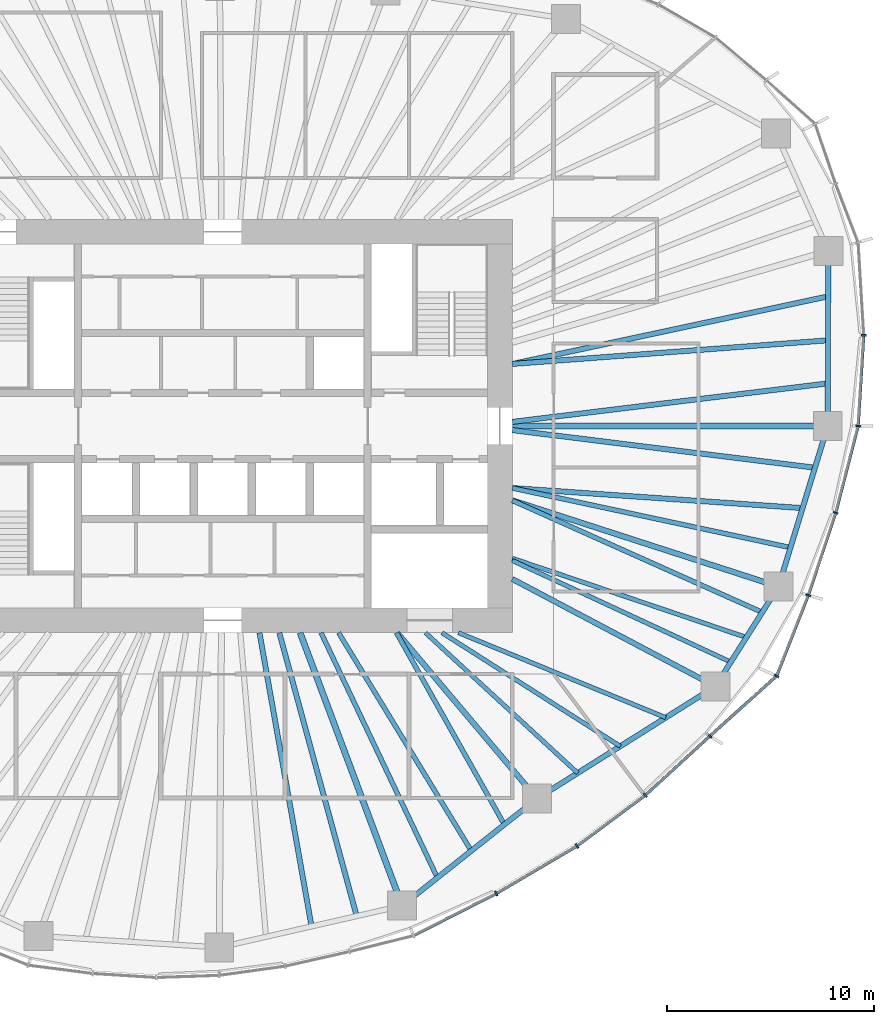
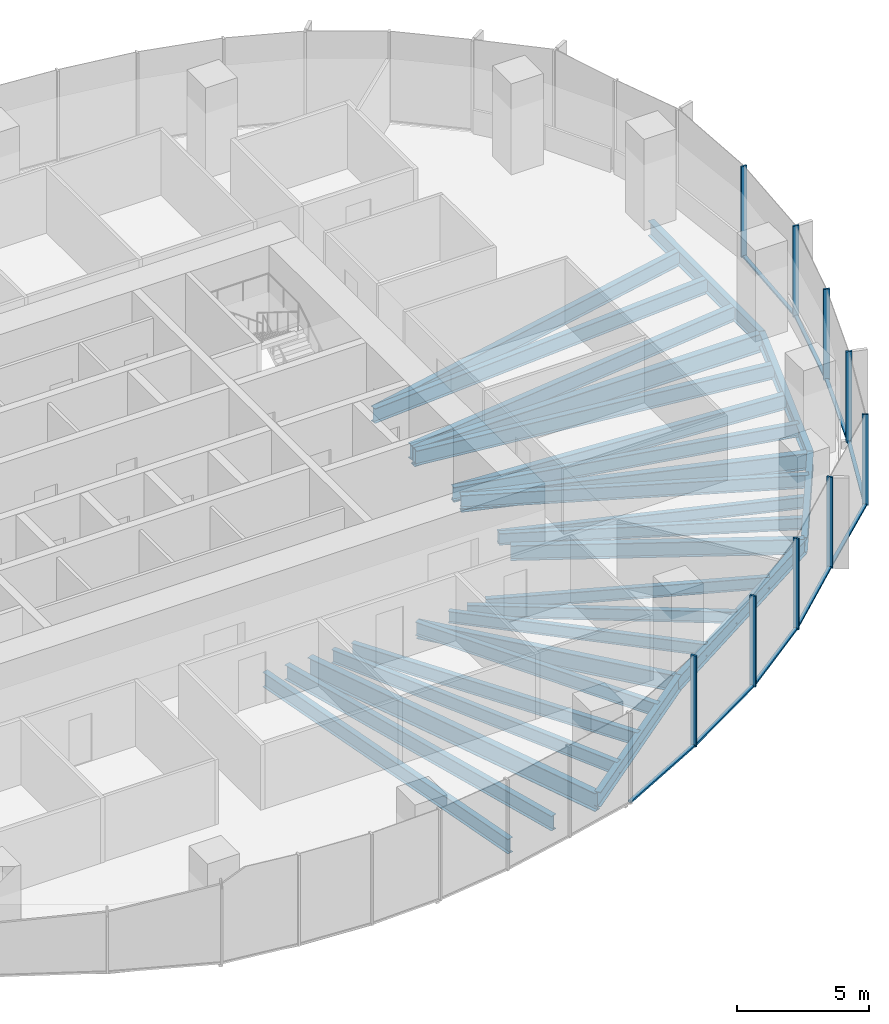
# One storey, part 4 of 18: 27 beams, 18 members, 5 elements without a shape of their own.
"""IFC4 building model written with IfcOpenShell, lengths in metres."""

from ifc_helpers import new_model, si_unit, direction, frame, origin, origin_2d, place, context, subcontext, project, spatial, rectangle, i_section, extrude, material, material_profile, profile_set, type_object, element, aggregate, save


model = new_model("IFC4")

# Units and contexts
model_context = context("Model", 3, precision=1e-05, world=origin(), true_north=direction((0.0, 1.0)))
body_context = subcontext(model_context, "Body", "Model", "MODEL_VIEW")
ifc_project = project(units=[si_unit("LENGTHUNIT", "METRE"), si_unit("AREAUNIT", "SQUARE_METRE"), si_unit("VOLUMEUNIT", "CUBIC_METRE"), si_unit("PLANEANGLEUNIT", "RADIAN"), si_unit("MASSUNIT", "GRAM", prefix="KILO")], contexts=[model_context])

# Site, building, storey
site_placement = place(None, origin())
site = spatial("IfcSite", under=ifc_project, at=site_placement, CompositionType="ELEMENT")
building_placement = place(site_placement, origin())
building = spatial("IfcBuilding", under=site, at=building_placement, Name="Ghaith Harvest Tower", CompositionType="ELEMENT")
storey_placement = place(building_placement, frame((0.0, 0.0, 151.199951171875)))
storey = spatial("IfcBuildingStorey", under=building, at=storey_placement, Name="L32", CompositionType="ELEMENT", Elevation=151.199951171875)

# Curtain wall, members
ifc_material_1 = material(Name="Black anodised aluminium and fritted glass", Category="aluminium")
curtain_wall_type = type_object("IfcCurtainWallType", Name="CW-L CURTAIN WALL", PredefinedType="NOTDEFINED", material=ifc_material_1)
curtain_wall_1_placement = place(storey_placement, origin())
curtain_wall_1 = element("IfcCurtainWall", 1, at=curtain_wall_1_placement, inside=storey, type_object=curtain_wall_type, Name="Curtain wall CW-L bay 01 L32", PredefinedType="NOTDEFINED")
ifc_material_2 = material(Name="Aluminium, black anodised", Category="aluminium")
ifc_material_profile_1 = material_profile(ifc_material_2, rectangle(XDim=0.080078125, YDim=0.239990234375, at=origin_2d()), Name="CW-L MULLION 80x240")
ifc_profile_set_1 = profile_set([ifc_material_profile_1], Name="Aluminium, black anodised")
member_type_1 = type_object("IfcMemberType", Name="CW-L MULLION 80x240", PredefinedType="MULLION", material=ifc_profile_set_1)
member_1_placement = place(storey_placement, frame((30.728759765625, 0.0, 0.0), z_axis=(0.0, 0.0, 1.0), x_axis=(0.155597142981, 0.987820595602, 0.0)))
member_1 = element("IfcMember", 2, at=member_1_placement, type_object=member_type_1, Name="CW-L mullion 1 bay 01 L32", PredefinedType="MULLION", context=body_context, shape_type="SweptSolid", body=[
    extrude(rectangle(XDim=0.080078125, YDim=0.239990234375, at=origin_2d()), origin(), (0.0, 0.0, 1.0), 4.199951171875),
])
member_2_placement = place(storey_placement, frame((30.998779296875, 4.389892578125, 0.0), z_axis=(0.0, 0.0, 1.0), x_axis=(-0.000162467394, 0.999999986802, 0.0)))
member_2 = element("IfcMember", 3, at=member_2_placement, type_object=member_type_1, Name="CW-L mullion 2 bay 01 L32", PredefinedType="MULLION", context=body_context, shape_type="SweptSolid", body=[
    extrude(rectangle(XDim=0.080078125, YDim=0.239990234375, at=origin_2d()), origin(), (0.0, 0.0, 1.0), 4.199951171875),
])

# Curtain wall, member
curtain_wall_2_placement = place(storey_placement, origin())
curtain_wall_2 = element("IfcCurtainWall", 4, at=curtain_wall_2_placement, inside=storey, type_object=curtain_wall_type, Name="Curtain wall CW-L bay 17 L32", PredefinedType="NOTDEFINED")
member_3_placement = place(storey_placement, frame((13.224365234375, -22.614013671875, 0.0), z_axis=(0.0, 0.0, 1.0), x_axis=(0.876898762173, 0.480675109507, 0.0)))
member_3 = element("IfcMember", 5, at=member_3_placement, type_object=member_type_1, Name="CW-L mullion 2 bay 17 L32", PredefinedType="MULLION", context=body_context, shape_type="SweptSolid", body=[
    extrude(rectangle(XDim=0.080078125, YDim=0.239990234375, at=origin_2d()), origin(), (0.0, 0.0, 1.0), 4.199951171875),
])

# Curtain wall, members
curtain_wall_3_placement = place(storey_placement, origin())
curtain_wall_3 = element("IfcCurtainWall", 6, at=curtain_wall_3_placement, inside=storey, type_object=curtain_wall_type, Name="Curtain wall CW-L bay 18 L32", PredefinedType="NOTDEFINED")
member_4_placement = place(storey_placement, frame((17.1318359375, -20.31591796875, 0.0), z_axis=(0.0, 0.0, 1.0), x_axis=(0.834887453241, 0.550420694035, 0.0)))
member_4 = element("IfcMember", 7, at=member_4_placement, type_object=member_type_1, Name="CW-L mullion 1 bay 18 L32", PredefinedType="MULLION", context=body_context, shape_type="SweptSolid", body=[
    extrude(rectangle(XDim=0.080078125, YDim=0.239990234375, at=origin_2d()), origin(), (0.0, 0.0, 1.0), 4.199951171875),
])
member_5_placement = place(storey_placement, frame((20.4296875, -17.86376953125, 0.0), z_axis=(0.0, 0.0, 1.0), x_axis=(0.770306399656, 0.637673937564, 0.0)))
member_5 = element("IfcMember", 8, at=member_5_placement, type_object=member_type_1, Name="CW-L mullion 2 bay 18 L32", PredefinedType="MULLION", context=body_context, shape_type="SweptSolid", body=[
    extrude(rectangle(XDim=0.080078125, YDim=0.239990234375, at=origin_2d()), origin(), (0.0, 0.0, 1.0), 4.199951171875),
])

curtain_wall_4_placement = place(storey_placement, origin())
curtain_wall_4 = element("IfcCurtainWall", 9, at=curtain_wall_4_placement, inside=storey, type_object=curtain_wall_type, Name="Curtain wall CW-L bay 19 L32", PredefinedType="NOTDEFINED")
member_6_placement = place(storey_placement, frame((23.560546875, -14.994140625, 0.0), z_axis=(0.0, 0.0, 1.0), x_axis=(0.740389054945, 0.672178582906, 0.0)))
member_6 = element("IfcMember", 10, at=member_6_placement, type_object=member_type_1, Name="CW-L mullion 1 bay 19 L32", PredefinedType="MULLION", context=body_context, shape_type="SweptSolid", body=[
    extrude(rectangle(XDim=0.080078125, YDim=0.239990234375, at=origin_2d()), origin(), (0.0, 0.0, 1.0), 4.199951171875),
])
member_7_placement = place(storey_placement, frame((26.786376953125, -12.0927734375, 0.0), z_axis=(0.0, 0.0, 1.0), x_axis=(0.572853476908, 0.819657790785, 0.0)))
member_7 = element("IfcMember", 11, at=member_7_placement, type_object=member_type_1, Name="CW-L mullion 2 bay 19 L32", PredefinedType="MULLION", context=body_context, shape_type="SweptSolid", body=[
    extrude(rectangle(XDim=0.080078125, YDim=0.239990234375, at=origin_2d()), origin(), (0.0, 0.0, 1.0), 4.199951171875),
])

curtain_wall_5_placement = place(storey_placement, origin())
curtain_wall_5 = element("IfcCurtainWall", 12, at=curtain_wall_5_placement, inside=storey, type_object=curtain_wall_type, Name="Curtain wall CW-L bay 20 L32", PredefinedType="NOTDEFINED")
member_8_placement = place(storey_placement, frame((28.319580078125, -8.184814453125, 0.0), z_axis=(0.0, 0.0, 1.0), x_axis=(0.34057402484, 0.94021770543, 0.0)))
member_8 = element("IfcMember", 13, at=member_8_placement, type_object=member_type_1, Name="CW-L mullion 1 bay 20 L32", PredefinedType="MULLION", context=body_context, shape_type="SweptSolid", body=[
    extrude(rectangle(XDim=0.080078125, YDim=0.239990234375, at=origin_2d()), origin(), (0.0, 0.0, 1.0), 4.199951171875),
])
member_9_placement = place(storey_placement, frame((29.64599609375, -4.1982421875, 0.0), z_axis=(0.0, 0.0, 1.0), x_axis=(0.282375140161, 0.959304060358, 0.0)))
member_9 = element("IfcMember", 14, at=member_9_placement, type_object=member_type_1, Name="CW-L mullion 2 bay 20 L32", PredefinedType="MULLION", context=body_context, shape_type="SweptSolid", body=[
    extrude(rectangle(XDim=0.080078125, YDim=0.239990234375, at=origin_2d()), origin(), (0.0, 0.0, 1.0), 4.199951171875),
])

# Member
ifc_material_3 = material(Name="Aluminium, black anodised", Category="aluminium")
ifc_material_profile_2 = material_profile(ifc_material_3, rectangle(XDim=0.14990234375, YDim=0.080078125, at=origin_2d()), Name="CW-L TRANSOM 150x80")
ifc_profile_set_2 = profile_set([ifc_material_profile_2], Name="Aluminium, black anodised")
member_type_2 = type_object("IfcMemberType", Name="CW-L TRANSOM 150x80", PredefinedType="USERDEFINED", material=ifc_profile_set_2)
member_10_placement = place(storey_placement, frame((30.731201171875, 0.0400390625, 0.0400390625), z_axis=(0.061403204251, 0.99811304295, 0.0), x_axis=(-0.99811304295, 0.061403204251, 0.0)))
member_10 = element("IfcMember", 15, at=member_10_placement, type_object=member_type_2, Name="CW-L transom 1 bay 01 L32", ObjectType="TRANSOM", PredefinedType="USERDEFINED", context=body_context, shape_type="SweptSolid", body=[
    extrude(rectangle(XDim=0.14990234375, YDim=0.080078125, at=origin_2d()), origin(), (0.0, 0.0, 1.0), 4.31787109375),
])

aggregate(curtain_wall_1, [member_1, member_10, member_2])

member_11_placement = place(storey_placement, frame((9.25244140625, -24.636474609375, 0.0400390625), z_axis=(0.891120044719, 0.453767634258, 0.0), x_axis=(-0.453767634258, 0.891120044719, 0.0)))
member_11 = element("IfcMember", 16, at=member_11_placement, type_object=member_type_2, Name="CW-L transom 1 bay 17 L32", ObjectType="TRANSOM", PredefinedType="USERDEFINED", context=body_context, shape_type="SweptSolid", body=[
    extrude(rectangle(XDim=0.14990234375, YDim=0.080078125, at=origin_2d()), origin(), (0.0, 0.0, 1.0), 4.417236328125),
])

member_12_placement = place(storey_placement, frame((13.259033203125, -22.59375, 0.0400390625), z_axis=(0.86196381091, 0.506969810424, 0.0), x_axis=(-0.506969810424, 0.86196381091, 0.0)))
member_12 = element("IfcMember", 17, at=member_12_placement, type_object=member_type_2, Name="CW-L transom 2 bay 17 L32", ObjectType="TRANSOM", PredefinedType="USERDEFINED", context=body_context, shape_type="SweptSolid", body=[
    extrude(rectangle(XDim=0.14990234375, YDim=0.080078125, at=origin_2d()), origin(), (0.0, 0.0, 1.0), 4.453125),
])

aggregate(curtain_wall_2, [member_11, member_3, member_12])

member_13_placement = place(storey_placement, frame((17.1640625, -20.2919921875, 0.0400390625), z_axis=(0.802465316609, 0.59669876457, 0.0), x_axis=(-0.59669876457, 0.802465316609, 0.0)))
member_13 = element("IfcMember", 18, at=member_13_placement, type_object=member_type_2, Name="CW-L transom 1 bay 18 L32", ObjectType="TRANSOM", PredefinedType="USERDEFINED", context=body_context, shape_type="SweptSolid", body=[
    extrude(rectangle(XDim=0.14990234375, YDim=0.080078125, at=origin_2d()), origin(), (0.0, 0.0, 1.0), 4.029296875),
])

member_14_placement = place(storey_placement, frame((20.459228515625, -17.836669921875, 0.0400390625), z_axis=(0.737197916434, 0.675676869521, 0.0), x_axis=(-0.675676869521, 0.737197916434, 0.0)))
member_14 = element("IfcMember", 19, at=member_14_placement, type_object=member_type_2, Name="CW-L transom 2 bay 18 L32", ObjectType="TRANSOM", PredefinedType="USERDEFINED", context=body_context, shape_type="SweptSolid", body=[
    extrude(rectangle(XDim=0.14990234375, YDim=0.080078125, at=origin_2d()), origin(), (0.0, 0.0, 1.0), 4.166748046875),
])

aggregate(curtain_wall_3, [member_4, member_13, member_5, member_14])

member_15_placement = place(storey_placement, frame((23.59033203125, -14.967529296875, 0.0400390625), z_axis=(0.74346800111, 0.668771509056, 0.0), x_axis=(-0.668771509056, 0.74346800111, 0.0)))
member_15 = element("IfcMember", 20, at=member_15_placement, type_object=member_type_2, Name="CW-L transom 1 bay 19 L32", ObjectType="TRANSOM", PredefinedType="USERDEFINED", context=body_context, shape_type="SweptSolid", body=[
    extrude(rectangle(XDim=0.14990234375, YDim=0.080078125, at=origin_2d()), origin(), (0.0, 0.0, 1.0), 4.2587890625),
])

member_16_placement = place(storey_placement, frame((26.801025390625, -12.055419921875, 0.0400390625), z_axis=(0.365228588652, 0.930917868575, 0.0), x_axis=(-0.930917868575, 0.365228588652, 0.0)))
member_16 = element("IfcMember", 21, at=member_16_placement, type_object=member_type_2, Name="CW-L transom 2 bay 19 L32", ObjectType="TRANSOM", PredefinedType="USERDEFINED", context=body_context, shape_type="SweptSolid", body=[
    extrude(rectangle(XDim=0.14990234375, YDim=0.080078125, at=origin_2d()), origin(), (0.0, 0.0, 1.0), 4.11767578125),
])

aggregate(curtain_wall_4, [member_6, member_15, member_7, member_16])

member_17_placement = place(storey_placement, frame((28.33203125, -8.14697265625, 0.0400390625), z_axis=(0.315712391444, 0.948854934059, 0.0), x_axis=(-0.948854934059, 0.315712391444, 0.0)))
member_17 = element("IfcMember", 22, at=member_17_placement, type_object=member_type_2, Name="CW-L transom 1 bay 20 L32", ObjectType="TRANSOM", PredefinedType="USERDEFINED", context=body_context, shape_type="SweptSolid", body=[
    extrude(rectangle(XDim=0.14990234375, YDim=0.080078125, at=origin_2d()), origin(), (0.0, 0.0, 1.0), 4.12158203125),
])

member_18_placement = place(storey_placement, frame((29.656005859375, -4.159423828125, 0.0400390625), z_axis=(0.249737470584, 0.968313583395, 0.0), x_axis=(-0.968313583395, 0.249737470584, 0.0)))
member_18 = element("IfcMember", 23, at=member_18_placement, type_object=member_type_2, Name="CW-L transom 2 bay 20 L32", ObjectType="TRANSOM", PredefinedType="USERDEFINED", context=body_context, shape_type="SweptSolid", body=[
    extrude(rectangle(XDim=0.14990234375, YDim=0.080078125, at=origin_2d()), origin(), (0.0, 0.0, 1.0), 4.25537109375),
])

aggregate(curtain_wall_5, [member_8, member_17, member_9, member_18])

# Beams
ifc_material_4 = material(Name="Steel ASTM A992 Grade 50", Category="steel")
ifc_material_profile_3 = material_profile(ifc_material_4, i_section(OverallWidth=0.25390625, OverallDepth=0.68408203125, WebThickness=0.012451171875, FlangeThickness=0.018798828125, at=origin_2d()), Name="W690X140")
ifc_profile_set_3 = profile_set([ifc_material_profile_3], Name="Steel ASTM A992 Grade 50")
beam_type_1 = type_object("IfcBeamType", Name="E690-140 W690X140", PredefinedType="SPANDREL", material=ifc_profile_set_3)
beam_1_placement = place(storey_placement, frame((29.259033203125, 0.0, -0.511962890625), z_axis=(0.003172847394, 0.999994966507, 0.0), x_axis=(-0.999994966507, 0.003172847394, 0.0)))
element("IfcBeam", 24, at=beam_1_placement, inside=storey, type_object=beam_type_1, Name="Edge beam E01 L32", PredefinedType="SPANDREL", context=body_context, shape_type="SweptSolid", body=[
    extrude(i_section(OverallWidth=0.25390625, OverallDepth=0.68408203125, WebThickness=0.012451171875, FlangeThickness=0.018798828125, at=origin_2d()), origin(), (0.0, 0.0, 1.0), 8.464111328125),
])
beam_2_placement = place(storey_placement, frame((8.674072265625, -23.202880859375, -0.511962890625), z_axis=(0.783159540917, 0.621820821033, 0.0), x_axis=(-0.621820821033, 0.783159540917, 0.0)))
element("IfcBeam", 25, at=beam_2_placement, inside=storey, type_object=beam_type_1, Name="Edge beam E17 L32", PredefinedType="SPANDREL", context=body_context, shape_type="SweptSolid", body=[
    extrude(i_section(OverallWidth=0.25390625, OverallDepth=0.68408203125, WebThickness=0.012451171875, FlangeThickness=0.018798828125, at=origin_2d()), origin(), (0.0, 0.0, 1.0), 8.330322265625),
])
beam_3_placement = place(storey_placement, frame((15.197998046875, -18.02294921875, -0.511962890625), z_axis=(0.846385185363, 0.532571232793, 0.0), x_axis=(-0.532571232793, 0.846385185363, 0.0)))
element("IfcBeam", 26, at=beam_3_placement, inside=storey, type_object=beam_type_1, Name="Edge beam E18 L32", PredefinedType="SPANDREL", context=body_context, shape_type="SweptSolid", body=[
    extrude(i_section(OverallWidth=0.25390625, OverallDepth=0.68408203125, WebThickness=0.012451171875, FlangeThickness=0.018798828125, at=origin_2d()), origin(), (0.0, 0.0, 1.0), 10.19384765625),
])
beam_4_placement = place(storey_placement, frame((23.825927734375, -12.593994140625, -0.511962890625), z_axis=(0.534499624093, 0.845168712059, 0.0), x_axis=(-0.845168712059, 0.534499624093, 0.0)))
element("IfcBeam", 27, at=beam_4_placement, inside=storey, type_object=beam_type_1, Name="Edge beam E19 L32", PredefinedType="SPANDREL", context=body_context, shape_type="SweptSolid", body=[
    extrude(i_section(OverallWidth=0.25390625, OverallDepth=0.68408203125, WebThickness=0.012451171875, FlangeThickness=0.018798828125, at=origin_2d()), origin(), (0.0, 0.0, 1.0), 5.7099609375),
])
beam_5_placement = place(storey_placement, frame((26.8779296875, -7.76806640625, -0.511962890625), z_axis=(0.293065809375, 0.956092271371, 0.0), x_axis=(-0.956092271371, 0.293065809375, 0.0)))
element("IfcBeam", 28, at=beam_5_placement, inside=storey, type_object=beam_type_1, Name="Edge beam E20 L32", PredefinedType="SPANDREL", context=body_context, shape_type="SweptSolid", body=[
    extrude(i_section(OverallWidth=0.25390625, OverallDepth=0.68408203125, WebThickness=0.012451171875, FlangeThickness=0.018798828125, at=origin_2d()), origin(), (0.0, 0.0, 1.0), 8.124755859375),
])
ifc_material_5 = material(Name="Steel ASTM A992 Grade 50", Category="steel")
ifc_material_profile_4 = material_profile(ifc_material_5, i_section(OverallWidth=0.256103515625, OverallDepth=0.693115234375, WebThickness=0.014404296875, FlangeThickness=0.023681640625, at=origin_2d()), Name="W690X170")
ifc_profile_set_4 = profile_set([ifc_material_profile_4], Name="Steel ASTM A992 Grade 50")
beam_type_2 = type_object("IfcBeamType", Name="G690-170 W690X170", PredefinedType="BEAM", material=ifc_profile_set_4)
beam_6_placement = place(storey_placement, frame((14.0, -7.39990234375, -0.516357421875), z_axis=(0.884080549082, -0.467334551189, 0.0), x_axis=(0.467334551189, 0.884080549082, 0.0)))
element("IfcBeam", 29, at=beam_6_placement, inside=storey, type_object=beam_type_2, Name="Radial girder G19 L32", PredefinedType="BEAM", context=body_context, shape_type="SweptSolid", body=[
    extrude(i_section(OverallWidth=0.256103515625, OverallDepth=0.693115234375, WebThickness=0.014404296875, FlangeThickness=0.023681640625, at=origin_2d()), origin(), (0.0, 0.0, 1.0), 11.1142578125),
])
ifc_material_6 = material(Name="Steel ASTM A992 Grade 50", Category="steel")
ifc_material_profile_5 = material_profile(ifc_material_6, i_section(OverallWidth=0.26806640625, OverallDepth=0.77001953125, WebThickness=0.015625, FlangeThickness=0.025390625, at=origin_2d()), Name="W760X196")
ifc_profile_set_5 = profile_set([ifc_material_profile_5], Name="Steel ASTM A992 Grade 50")
beam_type_3 = type_object("IfcBeamType", Name="G760-196 W760X196", PredefinedType="BEAM", material=ifc_profile_set_5)
beam_7_placement = place(storey_placement, frame((8.4326171875, -10.0, -0.554931640625), z_axis=(0.644649240595, -0.764478486682, 0.0), x_axis=(0.764478486682, 0.644649240595, 0.0)))
element("IfcBeam", 30, at=beam_7_placement, inside=storey, type_object=beam_type_3, Name="Radial girder G18 L32", PredefinedType="BEAM", context=body_context, shape_type="SweptSolid", body=[
    extrude(i_section(OverallWidth=0.26806640625, OverallDepth=0.77001953125, WebThickness=0.015625, FlangeThickness=0.025390625, at=origin_2d()), origin(), (0.0, 0.0, 1.0), 10.49462890625),
])
beam_8_placement = place(storey_placement, frame((14.0, -3.60009765625, -0.554931640625), z_axis=(0.951410331565, -0.307925934262, 0.0), x_axis=(0.307925934262, 0.951410331565, 0.0)))
element("IfcBeam", 31, at=beam_8_placement, inside=storey, type_object=beam_type_3, Name="Radial girder G20 L32", PredefinedType="BEAM", context=body_context, shape_type="SweptSolid", body=[
    extrude(i_section(OverallWidth=0.26806640625, OverallDepth=0.77001953125, WebThickness=0.015625, FlangeThickness=0.025390625, at=origin_2d()), origin(), (0.0, 0.0, 1.0), 13.53564453125),
])
ifc_material_7 = material(Name="Steel ASTM A992 Grade 50", Category="steel")
ifc_material_profile_6 = material_profile(ifc_material_7, i_section(OverallWidth=0.2939453125, OverallDepth=0.85107421875, WebThickness=0.01611328125, FlangeThickness=0.02685546875, at=origin_2d()), Name="W840X226")
ifc_profile_set_6 = profile_set([ifc_material_profile_6], Name="Steel ASTM A992 Grade 50")
beam_type_4 = type_object("IfcBeamType", Name="G840-226 W840X226", PredefinedType="BEAM", material=ifc_profile_set_6)
beam_9_placement = place(storey_placement, frame((14.0, 0.0, -0.595458984375), z_axis=(1.0, 0.0, 0.0), x_axis=(0.0, 1.0, 0.0)))
element("IfcBeam", 32, at=beam_9_placement, inside=storey, type_object=beam_type_4, Name="Radial girder G01 L32", PredefinedType="BEAM", context=body_context, shape_type="SweptSolid", body=[
    extrude(i_section(OverallWidth=0.2939453125, OverallDepth=0.85107421875, WebThickness=0.01611328125, FlangeThickness=0.02685546875, at=origin_2d()), origin(), (0.0, 0.0, 1.0), 15.259033203125),
])
beam_10_placement = place(storey_placement, frame((3.73828125, -10.0, -0.595458984375), z_axis=(0.350172283717, -0.936685310932, 0.0), x_axis=(0.936685310932, 0.350172283717, 0.0)))
element("IfcBeam", 33, at=beam_10_placement, inside=storey, type_object=beam_type_4, Name="Radial girder G17 L32", PredefinedType="BEAM", context=body_context, shape_type="SweptSolid", body=[
    extrude(i_section(OverallWidth=0.2939453125, OverallDepth=0.85107421875, WebThickness=0.01611328125, FlangeThickness=0.02685546875, at=origin_2d()), origin(), (0.0, 0.0, 1.0), 14.09521484375),
])
ifc_material_8 = material(Name="Steel ASTM A992 Grade 50", Category="steel")
ifc_material_profile_7 = material_profile(ifc_material_8, i_section(OverallWidth=0.2109375, OverallDepth=0.5390625, WebThickness=0.01171875, FlangeThickness=0.018798828125, at=origin_2d()), Name="W530X109")
ifc_profile_set_7 = profile_set([ifc_material_profile_7], Name="Steel ASTM A992 Grade 50")
beam_type_5 = type_object("IfcBeamType", Name="J530-109 W530X109", PredefinedType="JOIST", material=ifc_profile_set_7)
beam_11_placement = place(storey_placement, frame((9.800048828125, -10.0, -0.439453125), z_axis=(0.735441512033, -0.677588210035, 0.0), x_axis=(0.677588210035, 0.735441512033, 0.0)))
element("IfcBeam", 34, at=beam_11_placement, inside=storey, type_object=beam_type_5, Name="Joist J18.1 L32", PredefinedType="JOIST", context=body_context, shape_type="SweptSolid", body=[
    extrude(i_section(OverallWidth=0.2109375, OverallDepth=0.5390625, WebThickness=0.01171875, FlangeThickness=0.018798828125, at=origin_2d()), origin(), (0.0, 0.0, 1.0), 10.01416015625),
])
beam_12_placement = place(storey_placement, frame((10.60009765625, -10.0, -0.439453125), z_axis=(0.843584777848, -0.536996017288, 0.0), x_axis=(0.536996017288, 0.843584777848, 0.0)))
element("IfcBeam", 35, at=beam_12_placement, inside=storey, type_object=beam_type_5, Name="Joist J18.2 L32", PredefinedType="JOIST", context=body_context, shape_type="SweptSolid", body=[
    extrude(i_section(OverallWidth=0.2109375, OverallDepth=0.5390625, WebThickness=0.01171875, FlangeThickness=0.018798828125, at=origin_2d()), origin(), (0.0, 0.0, 1.0), 10.22314453125),
])
beam_13_placement = place(storey_placement, frame((11.39990234375, -10.0, -0.439453125), z_axis=(0.925406878607, -0.378975077053, 0.0), x_axis=(0.378975077053, 0.925406878607, 0.0)))
element("IfcBeam", 36, at=beam_13_placement, inside=storey, type_object=beam_type_5, Name="Joist J18.3 L32", PredefinedType="JOIST", context=body_context, shape_type="SweptSolid", body=[
    extrude(i_section(OverallWidth=0.2109375, OverallDepth=0.5390625, WebThickness=0.01171875, FlangeThickness=0.018798828125, at=origin_2d()), origin(), (0.0, 0.0, 1.0), 10.83251953125),
])
beam_14_placement = place(storey_placement, frame((14.0, -6.506103515625, -0.439453125), z_axis=(0.906863188232, -0.421425150922, 0.0), x_axis=(0.421425150922, 0.906863188232, 0.0)))
element("IfcBeam", 37, at=beam_14_placement, inside=storey, type_object=beam_type_5, Name="Joist J19.1 L32", PredefinedType="JOIST", context=body_context, shape_type="SweptSolid", body=[
    extrude(i_section(OverallWidth=0.2109375, OverallDepth=0.5390625, WebThickness=0.01171875, FlangeThickness=0.018798828125, at=origin_2d()), origin(), (0.0, 0.0, 1.0), 11.6552734375),
])
beam_15_placement = place(storey_placement, frame((14.0, -6.39990234375, -0.439453125), z_axis=(0.947372072272, -0.320134591508, 0.0), x_axis=(0.320134591508, 0.947372072272, 0.0)))
element("IfcBeam", 38, at=beam_15_placement, inside=storey, type_object=beam_type_5, Name="Joist J19.2 L32", PredefinedType="JOIST", context=body_context, shape_type="SweptSolid", body=[
    extrude(i_section(OverallWidth=0.2109375, OverallDepth=0.5390625, WebThickness=0.01171875, FlangeThickness=0.018798828125, at=origin_2d()), origin(), (0.0, 0.0, 1.0), 11.95263671875),
])
ifc_material_9 = material(Name="Steel ASTM A992 Grade 50", Category="steel")
ifc_material_profile_8 = material_profile(ifc_material_9, i_section(OverallWidth=0.22900390625, OverallDepth=0.612060546875, WebThickness=0.011962890625, FlangeThickness=0.01953125, at=origin_2d()), Name="W610X125")
ifc_profile_set_8 = profile_set([ifc_material_profile_8], Name="Steel ASTM A992 Grade 50")
beam_type_6 = type_object("IfcBeamType", Name="J610-125 W610X125", PredefinedType="JOIST", material=ifc_profile_set_8)
beam_16_placement = place(storey_placement, frame((4.75, -10.0, -0.475830078125), z_axis=(0.429062888327, -0.903274619294, 0.0), x_axis=(0.903274619294, 0.429062888327, 0.0)))
element("IfcBeam", 39, at=beam_16_placement, inside=storey, type_object=beam_type_6, Name="Joist J17.1 L32", PredefinedType="JOIST", context=body_context, shape_type="SweptSolid", body=[
    extrude(i_section(OverallWidth=0.22900390625, OverallDepth=0.612060546875, WebThickness=0.011962890625, FlangeThickness=0.01953125, at=origin_2d()), origin(), (0.0, 0.0, 1.0), 13.118408203125),
])
beam_17_placement = place(storey_placement, frame((5.60009765625, -10.0, -0.475830078125), z_axis=(0.51969412955, -0.854352393167, 0.0), x_axis=(0.854352393167, 0.51969412955, 0.0)))
element("IfcBeam", 40, at=beam_17_placement, inside=storey, type_object=beam_type_6, Name="Joist J17.2 L32", PredefinedType="JOIST", context=body_context, shape_type="SweptSolid", body=[
    extrude(i_section(OverallWidth=0.22900390625, OverallDepth=0.612060546875, WebThickness=0.011962890625, FlangeThickness=0.01953125, at=origin_2d()), origin(), (0.0, 0.0, 1.0), 12.34716796875),
])
beam_18_placement = place(storey_placement, frame((8.39990234375, -10.0, -0.475830078125), z_axis=(0.489936713337, -0.871758003648, 0.0), x_axis=(0.871758003648, 0.489936713337, 0.0)))
element("IfcBeam", 41, at=beam_18_placement, inside=storey, type_object=beam_type_6, Name="Joist J17.3 L32", PredefinedType="JOIST", context=body_context, shape_type="SweptSolid", body=[
    extrude(i_section(OverallWidth=0.22900390625, OverallDepth=0.612060546875, WebThickness=0.011962890625, FlangeThickness=0.01953125, at=origin_2d()), origin(), (0.0, 0.0, 1.0), 10.64501953125),
])
beam_19_placement = place(storey_placement, frame((14.0, -3.60009765625, -0.475830078125), z_axis=(0.912738327266, -0.408544668231, 0.0), x_axis=(0.408544668231, 0.912738327266, 0.0)))
element("IfcBeam", 42, at=beam_19_placement, inside=storey, type_object=beam_type_6, Name="Joist J19.3 L32", PredefinedType="JOIST", context=body_context, shape_type="SweptSolid", body=[
    extrude(i_section(OverallWidth=0.22900390625, OverallDepth=0.612060546875, WebThickness=0.011962890625, FlangeThickness=0.01953125, at=origin_2d()), origin(), (0.0, 0.0, 1.0), 13.247314453125),
])
beam_20_placement = place(storey_placement, frame((14.0, -3.0, -0.475830078125), z_axis=(0.97783433664, -0.209380061343, 0.0), x_axis=(0.209380061343, 0.97783433664, 0.0)))
element("IfcBeam", 43, at=beam_20_placement, inside=storey, type_object=beam_type_6, Name="Joist J20.1 L32", PredefinedType="JOIST", context=body_context, shape_type="SweptSolid", body=[
    extrude(i_section(OverallWidth=0.22900390625, OverallDepth=0.612060546875, WebThickness=0.011962890625, FlangeThickness=0.01953125, at=origin_2d()), origin(), (0.0, 0.0, 1.0), 13.76123046875),
])
ifc_material_10 = material(Name="Steel ASTM A992 Grade 50", Category="steel")
ifc_material_profile_9 = material_profile(ifc_material_10, i_section(OverallWidth=0.25390625, OverallDepth=0.68408203125, WebThickness=0.012451171875, FlangeThickness=0.018798828125, at=origin_2d()), Name="W690X140")
ifc_profile_set_9 = profile_set([ifc_material_profile_9], Name="Steel ASTM A992 Grade 50")
beam_type_7 = type_object("IfcBeamType", Name="J690-140 W690X140", PredefinedType="JOIST", material=ifc_profile_set_9)
beam_21_placement = place(storey_placement, frame((14.0, 0.199951171875, -0.511962890625), z_axis=(0.992642759881, 0.121079937462, 0.0), x_axis=(-0.121079937462, 0.992642759881, 0.0)))
element("IfcBeam", 44, at=beam_21_placement, inside=storey, type_object=beam_type_7, Name="Joist J01.1 L32", PredefinedType="JOIST", context=body_context, shape_type="SweptSolid", body=[
    extrude(i_section(OverallWidth=0.25390625, OverallDepth=0.68408203125, WebThickness=0.012451171875, FlangeThickness=0.018798828125, at=origin_2d()), origin(), (0.0, 0.0, 1.0), 15.378662109375),
])
beam_22_placement = place(storey_placement, frame((14.0, 3.0, -0.511962890625), z_axis=(0.997200052902, 0.074780040735, 0.0), x_axis=(-0.074780040735, 0.997200052902, 0.0)))
element("IfcBeam", 45, at=beam_22_placement, inside=storey, type_object=beam_type_7, Name="Joist J01.2 L32", PredefinedType="JOIST", context=body_context, shape_type="SweptSolid", body=[
    extrude(i_section(OverallWidth=0.25390625, OverallDepth=0.68408203125, WebThickness=0.012451171875, FlangeThickness=0.018798828125, at=origin_2d()), origin(), (0.0, 0.0, 1.0), 15.315185546875),
])
beam_23_placement = place(storey_placement, frame((14.0, 3.0, -0.511962890625), z_axis=(0.977833271545, 0.209385035425, 0.0), x_axis=(-0.209385035425, 0.977833271545, 0.0)))
element("IfcBeam", 46, at=beam_23_placement, inside=storey, type_object=beam_type_7, Name="Joist J01.3 L32", PredefinedType="JOIST", context=body_context, shape_type="SweptSolid", body=[
    extrude(i_section(OverallWidth=0.25390625, OverallDepth=0.68408203125, WebThickness=0.012451171875, FlangeThickness=0.018798828125, at=origin_2d()), origin(), (0.0, 0.0, 1.0), 15.62548828125),
])
beam_24_placement = place(storey_placement, frame((1.772705078125, -10.0, -0.511962890625), z_axis=(0.174552818486, -0.98464781194, 0.0), x_axis=(0.98464781194, 0.174552818486, 0.0)))
element("IfcBeam", 47, at=beam_24_placement, inside=storey, type_object=beam_type_7, Name="Joist J16.2 L32", PredefinedType="JOIST", context=body_context, shape_type="SweptSolid", body=[
    extrude(i_section(OverallWidth=0.25390625, OverallDepth=0.68408203125, WebThickness=0.012451171875, FlangeThickness=0.018798828125, at=origin_2d()), origin(), (0.0, 0.0, 1.0), 14.42578125),
])
beam_25_placement = place(storey_placement, frame((2.73095703125, -10.0, -0.511962890625), z_axis=(0.263463446032, -0.964669379946, 0.0), x_axis=(0.964669379946, 0.263463446032, 0.0)))
element("IfcBeam", 48, at=beam_25_placement, inside=storey, type_object=beam_type_7, Name="Joist J16.3 L32", PredefinedType="JOIST", context=body_context, shape_type="SweptSolid", body=[
    extrude(i_section(OverallWidth=0.25390625, OverallDepth=0.68408203125, WebThickness=0.012451171875, FlangeThickness=0.018798828125, at=origin_2d()), origin(), (0.0, 0.0, 1.0), 14.20751953125),
])
beam_26_placement = place(storey_placement, frame((14.0, -3.0, -0.511962890625), z_axis=(0.997616678907, -0.068999724397, 0.0), x_axis=(0.068999724397, 0.997616678907, 0.0)))
element("IfcBeam", 49, at=beam_26_placement, inside=storey, type_object=beam_type_7, Name="Joist J20.2 L32", PredefinedType="JOIST", context=body_context, shape_type="SweptSolid", body=[
    extrude(i_section(OverallWidth=0.25390625, OverallDepth=0.68408203125, WebThickness=0.012451171875, FlangeThickness=0.018798828125, at=origin_2d()), origin(), (0.0, 0.0, 1.0), 14.0751953125),
])
beam_27_placement = place(storey_placement, frame((14.0, -0.199951171875, -0.511962890625), z_axis=(0.992379127816, -0.123222021874, 0.0), x_axis=(0.123222021874, 0.992379127816, 0.0)))
element("IfcBeam", 50, at=beam_27_placement, inside=storey, type_object=beam_type_7, Name="Joist J20.3 L32", PredefinedType="JOIST", context=body_context, shape_type="SweptSolid", body=[
    extrude(i_section(OverallWidth=0.25390625, OverallDepth=0.68408203125, WebThickness=0.012451171875, FlangeThickness=0.018798828125, at=origin_2d()), origin(), (0.0, 0.0, 1.0), 14.7529296875),
])

save(model, "model.ifc")
